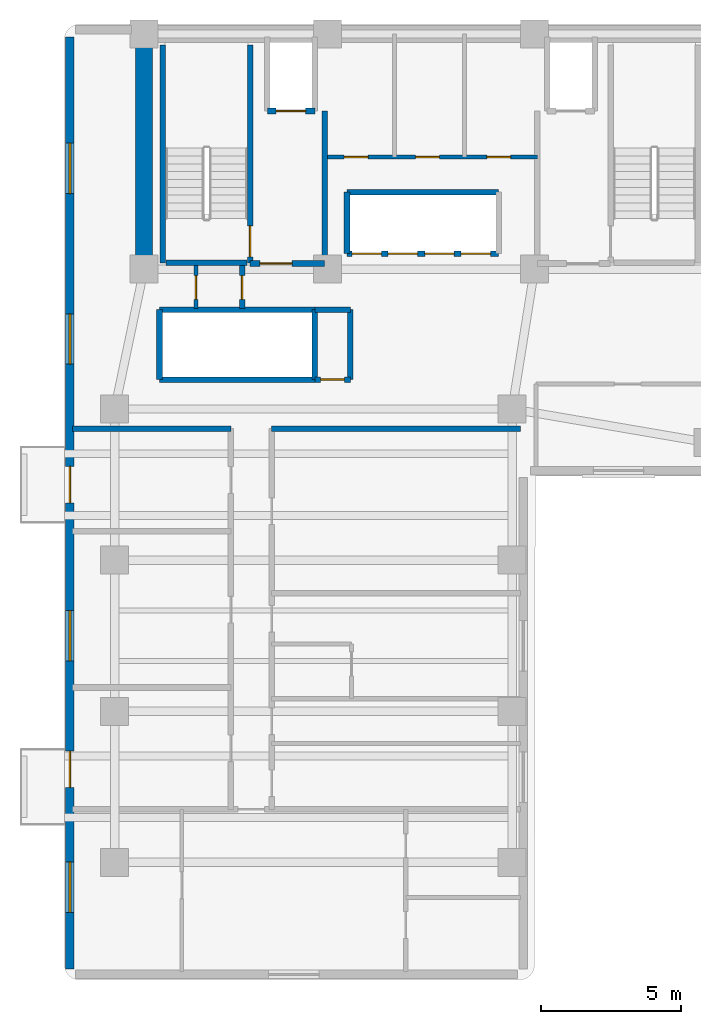
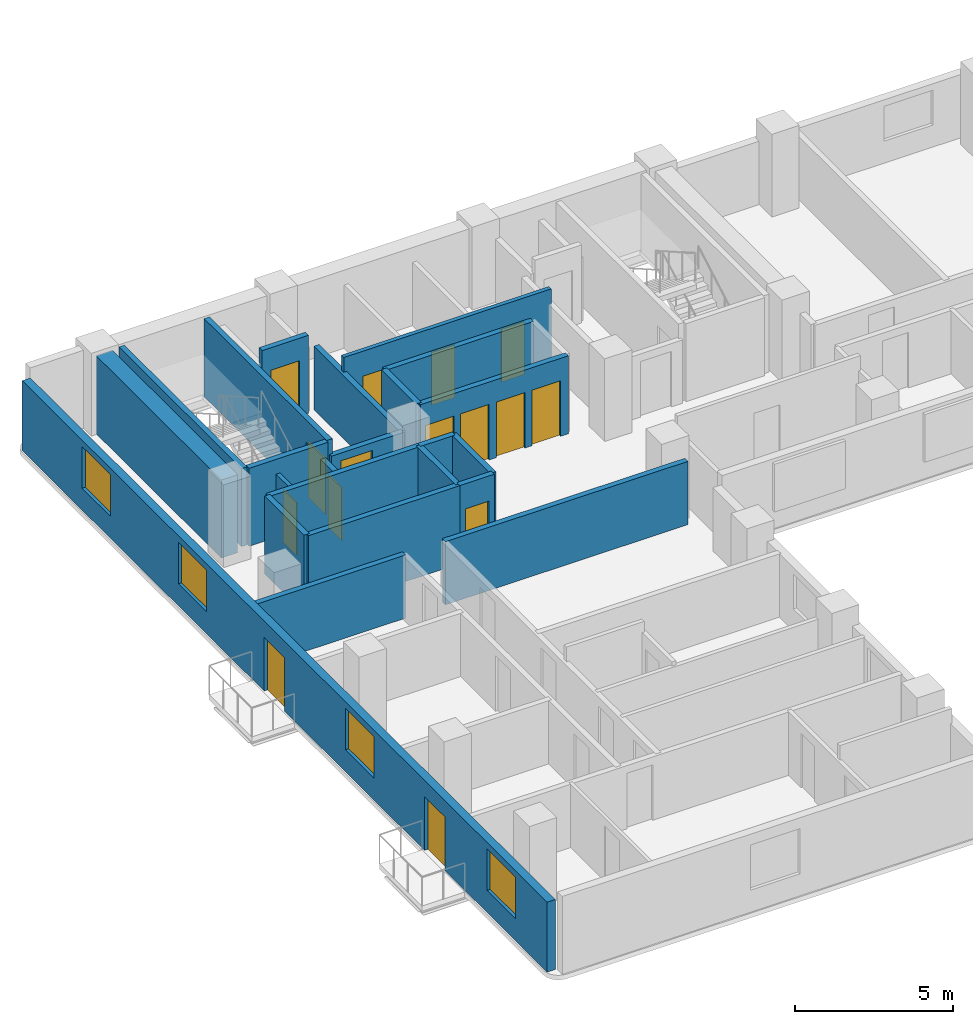
# One storey, part 3 of 7: 23 walls, 15 doors, 4 windows, 19 openings.
"""IFC4 building model written with IfcOpenShell, lengths in metres."""

from ifc_helpers import new_model, si_unit, direction, frame, frame_2d, origin, place, context, subcontext, project, spatial, rectangle, extrude, material, layer, layer_set, type_object, element, fill, save


model = new_model("IFC4")

# Units and contexts
model_context = context("Model", 3, precision=1e-05, world=origin(), true_north=direction((0.0, 1.0)))
body_context = subcontext(model_context, "Body", "Model", "MODEL_VIEW")
ifc_project = project(units=[si_unit("LENGTHUNIT", "METRE"), si_unit("AREAUNIT", "SQUARE_METRE"), si_unit("VOLUMEUNIT", "CUBIC_METRE"), si_unit("PLANEANGLEUNIT", "RADIAN"), si_unit("MASSUNIT", "GRAM", prefix="KILO")], contexts=[model_context])

# Site, building, storey
site_placement = place(None, origin())
site = spatial("IfcSite", under=ifc_project, at=site_placement, CompositionType="ELEMENT")
building_placement = place(site_placement, origin())
building = spatial("IfcBuilding", under=site, at=building_placement, Name="Kuzgunbayir Cultural Tower", CompositionType="ELEMENT")
storey_placement = place(building_placement, frame((0.0, 0.0, 142.60009765625)))
storey = spatial("IfcBuildingStorey", under=building, at=storey_placement, Name="L41", CompositionType="ELEMENT", Elevation=142.60009765625)

# Wall
ifc_material_1 = material(Name="Concrete C60/75", Category="concrete")
ifc_layer_1 = layer(ifc_material_1, 0.60009765625)
ifc_layer_set_1 = layer_set([ifc_layer_1], Name="Concrete C60/75")
wall_type_1 = type_object("IfcWallType", Name="WAL-CORE-600", PredefinedType="SHEAR", material=ifc_layer_set_1)
wall_1_placement = place(storey_placement, frame((6.449951171875, 33.800048828125, 0.0), z_axis=(0.0, 0.0, 1.0), x_axis=(0.0, 1.0, 0.0)))
element("IfcWall", 1, at=wall_1_placement, inside=storey, type_object=wall_type_1, Name="L41 T1 Core West Shear Wall", PredefinedType="SHEAR", context=body_context, shape_type="SweptSolid", body=[
    extrude(rectangle(XDim=7.949951171875, YDim=0.60009765625, at=frame_2d((3.97509765625, 0.0))), origin(), (0.0, 0.0, 1.0), 3.02001953125),
])

# Wall, openings, doors, windows
ifc_material_2 = material(Name="Anatolian Cream Limestone", Category="masonry")
ifc_layer_2 = layer(ifc_material_2, 0.300048828125)
ifc_layer_set_2 = layer_set([ifc_layer_2], Name="Anatolian Cream Limestone")
wall_type_2 = type_object("IfcWallType", Name="WAL-EXT-STONE-300", PredefinedType="STANDARD", material=ifc_layer_set_2)
wall_2_placement = place(storey_placement, frame((3.800048828125, 42.10009765625, 0.0), z_axis=(0.0, 0.0, 1.0), x_axis=(0.0, -1.0, 0.0)))
wall_2 = element("IfcWall", 2, at=wall_2_placement, inside=storey, type_object=wall_type_2, Name="L41 Wing A West Limestone Wall", PredefinedType="STANDARD", context=body_context, shape_type="SweptSolid", body=[
    extrude(rectangle(XDim=33.300048828125, YDim=0.300048828125, at=frame_2d((16.64990234375, 0.0))), origin(), (0.0, 0.0, 1.0), 2.7099609375),
])
opening_1_placement = place(wall_2_placement, frame((25.52001953125, 0.0, 0.0)))
opening_1 = element("IfcOpeningElement", 3, at=opening_1_placement, cuts=wall_2, Name="Opening BD-13", PredefinedType="OPENING", context=body_context, shape_type="SweptSolid", body=[
    extrude(rectangle(XDim=1.300048828125, YDim=2.080078125, at=frame_2d((0.64990234375, 1.0400390625))), frame((0.0, 0.16015625, 0.0), z_axis=(0.0, -1.0, 0.0), x_axis=(1.0, 0.0, 0.0)), (0.0, 0.0, 1.0), 0.320068359375),
])
opening_2_placement = place(wall_2_placement, frame((15.35009765625, 0.0, 0.0)))
opening_2 = element("IfcOpeningElement", 4, at=opening_2_placement, cuts=wall_2, Name="Opening BD-13", PredefinedType="OPENING", context=body_context, shape_type="SweptSolid", body=[
    extrude(rectangle(XDim=1.300048828125, YDim=2.080078125, at=frame_2d((0.64990234375, 1.0400390625))), frame((0.0, 0.16015625, 0.0), z_axis=(0.0, -1.0, 0.0), x_axis=(1.0, 0.0, 0.0)), (0.0, 0.0, 1.0), 0.320068359375),
])
opening_3_placement = place(wall_2_placement, frame((29.47998046875, 0.0, 0.85009765625)))
opening_3 = element("IfcOpeningElement", 5, at=opening_3_placement, cuts=wall_2, Name="Opening WH-18", PredefinedType="OPENING", context=body_context, shape_type="SweptSolid", body=[
    extrude(rectangle(XDim=1.800048828125, YDim=1.610107421875, at=frame_2d((0.89990234375, 0.80517578125))), frame((0.0, 0.16015625, 0.0), z_axis=(0.0, -1.0, 0.0), x_axis=(1.0, 0.0, 0.0)), (0.0, 0.0, 1.0), 0.320068359375),
])
opening_4_placement = place(wall_2_placement, frame((20.5, 0.0, 0.85009765625)))
opening_4 = element("IfcOpeningElement", 6, at=opening_4_placement, cuts=wall_2, Name="Opening WH-18", PredefinedType="OPENING", context=body_context, shape_type="SweptSolid", body=[
    extrude(rectangle(XDim=1.800048828125, YDim=1.610107421875, at=frame_2d((0.89990234375, 0.80517578125))), frame((0.0, 0.16015625, 0.0), z_axis=(0.0, -1.0, 0.0), x_axis=(1.0, 0.0, 0.0)), (0.0, 0.0, 1.0), 0.320068359375),
])
opening_5_placement = place(wall_2_placement, frame((9.89990234375, 0.0, 0.85009765625)))
opening_5 = element("IfcOpeningElement", 7, at=opening_5_placement, cuts=wall_2, Name="Opening WH-18", PredefinedType="OPENING", context=body_context, shape_type="SweptSolid", body=[
    extrude(rectangle(XDim=1.800048828125, YDim=1.610107421875, at=frame_2d((0.89990234375, 0.80517578125))), frame((0.0, 0.16015625, 0.0), z_axis=(0.0, -1.0, 0.0), x_axis=(1.0, 0.0, 0.0)), (0.0, 0.0, 1.0), 0.320068359375),
])
opening_6_placement = place(wall_2_placement, frame((3.800048828125, 0.0, 0.85009765625)))
opening_6 = element("IfcOpeningElement", 8, at=opening_6_placement, cuts=wall_2, Name="Opening WH-18", PredefinedType="OPENING", context=body_context, shape_type="SweptSolid", body=[
    extrude(rectangle(XDim=1.800048828125, YDim=1.610107421875, at=frame_2d((0.89990234375, 0.80517578125))), frame((0.0, 0.16015625, 0.0), z_axis=(0.0, -1.0, 0.0), x_axis=(1.0, 0.0, 0.0)), (0.0, 0.0, 1.0), 0.320068359375),
])
ifc_material_3 = material(Name="Thermally Broken Glazed Aluminium", Category="aluminium")
door_type_1 = type_object("IfcDoorType", Name="DR-BALCONY-135", OperationType="SLIDING_TO_LEFT", PredefinedType="DOOR", material=ifc_material_3)
door_1_placement = place(opening_1_placement, origin())
door_1 = element("IfcDoor", 9, at=door_1_placement, inside=storey, type_object=door_type_1, Name="L41 West Balcony Sliding Door BAL-L41-WA1", OperationType="SLIDING_TO_LEFT", OverallHeight=2.080078125, OverallWidth=1.300048828125, PredefinedType="DOOR", context=body_context, shape_type="SweptSolid", body=[
    extrude(rectangle(XDim=1.300048828125, YDim=2.080078125, at=frame_2d((0.64990234375, 1.0400390625))), frame((0.0, 0.02490234375, 0.0), z_axis=(0.0, -1.0, 0.0), x_axis=(1.0, 0.0, 0.0)), (0.0, 0.0, 1.0), 0.050048828125),
])
fill(opening_1, door_1)
door_2_placement = place(opening_2_placement, origin())
door_2 = element("IfcDoor", 10, at=door_2_placement, inside=storey, type_object=door_type_1, Name="L41 West Balcony Sliding Door BAL-L41-WA3", OperationType="SLIDING_TO_LEFT", OverallHeight=2.080078125, OverallWidth=1.300048828125, PredefinedType="DOOR", context=body_context, shape_type="SweptSolid", body=[
    extrude(rectangle(XDim=1.300048828125, YDim=2.080078125, at=frame_2d((0.64990234375, 1.0400390625))), frame((0.0, 0.02490234375, 0.0), z_axis=(0.0, -1.0, 0.0), x_axis=(1.0, 0.0, 0.0)), (0.0, 0.0, 1.0), 0.050048828125),
])
fill(opening_2, door_2)
ifc_material_4 = material(Name="Solar-Control Triple Glazing", Category="glass")
window_type = type_object("IfcWindowType", Name="WIN-HOTEL-18", PartitioningType="SINGLE_PANEL", PredefinedType="WINDOW", material=ifc_material_4)
window_1_placement = place(opening_3_placement, origin())
window_1 = element("IfcWindow", 11, at=window_1_placement, inside=storey, type_object=window_type, Name="L41 WAW Facade Window 1", OverallHeight=1.610107421875, OverallWidth=1.800048828125, PartitioningType="SINGLE_PANEL", PredefinedType="WINDOW", context=body_context, shape_type="SweptSolid", body=[
    extrude(rectangle(XDim=1.800048828125, YDim=1.610107421875, at=frame_2d((0.89990234375, 0.80517578125))), frame((0.0, 0.030029296875, 0.0), z_axis=(0.0, -1.0, 0.0), x_axis=(1.0, 0.0, 0.0)), (0.0, 0.0, 1.0), 0.06005859375),
])
fill(opening_3, window_1)
window_2_placement = place(opening_4_placement, origin())
window_2 = element("IfcWindow", 12, at=window_2_placement, inside=storey, type_object=window_type, Name="L41 WAW Facade Window 7", OverallHeight=1.610107421875, OverallWidth=1.800048828125, PartitioningType="SINGLE_PANEL", PredefinedType="WINDOW", context=body_context, shape_type="SweptSolid", body=[
    extrude(rectangle(XDim=1.800048828125, YDim=1.610107421875, at=frame_2d((0.89990234375, 0.80517578125))), frame((0.0, 0.030029296875, 0.0), z_axis=(0.0, -1.0, 0.0), x_axis=(1.0, 0.0, 0.0)), (0.0, 0.0, 1.0), 0.06005859375),
])
fill(opening_4, window_2)
window_3_placement = place(opening_5_placement, origin())
window_3 = element("IfcWindow", 13, at=window_3_placement, inside=storey, type_object=window_type, Name="L41 WAW Facade Window 8", OverallHeight=1.610107421875, OverallWidth=1.800048828125, PartitioningType="SINGLE_PANEL", PredefinedType="WINDOW", context=body_context, shape_type="SweptSolid", body=[
    extrude(rectangle(XDim=1.800048828125, YDim=1.610107421875, at=frame_2d((0.89990234375, 0.80517578125))), frame((0.0, 0.030029296875, 0.0), z_axis=(0.0, -1.0, 0.0), x_axis=(1.0, 0.0, 0.0)), (0.0, 0.0, 1.0), 0.06005859375),
])
fill(opening_5, window_3)
window_4_placement = place(opening_6_placement, origin())
window_4 = element("IfcWindow", 14, at=window_4_placement, inside=storey, type_object=window_type, Name="L41 WAW Facade Window 9", OverallHeight=1.610107421875, OverallWidth=1.800048828125, PartitioningType="SINGLE_PANEL", PredefinedType="WINDOW", context=body_context, shape_type="SweptSolid", body=[
    extrude(rectangle(XDim=1.800048828125, YDim=1.610107421875, at=frame_2d((0.89990234375, 0.80517578125))), frame((0.0, 0.030029296875, 0.0), z_axis=(0.0, -1.0, 0.0), x_axis=(1.0, 0.0, 0.0)), (0.0, 0.0, 1.0), 0.06005859375),
])
fill(opening_6, window_4)

# Wall, opening, door
ifc_material_5 = material(Name="Acoustic Double-Stud Drywall", Category="gypsum")
ifc_layer_3 = layer(ifc_material_5, 0.14990234375)
ifc_layer_set_3 = layer_set([ifc_layer_3], Name="Acoustic Double-Stud Drywall")
wall_type_3 = type_object("IfcWallType", Name="WAL-PART-ACOUSTIC-150", PredefinedType="PARTITIONING", material=ifc_layer_set_3)
wall_3_placement = place(storey_placement, frame((8.300048828125, 32.39990234375, 0.0), z_axis=(0.0, 0.0, 1.0), x_axis=(0.0, 1.0, 0.0)))
wall_3 = element("IfcWall", 15, at=wall_3_placement, inside=storey, type_object=wall_type_3, Name="L41 West Core Closet Divider", PredefinedType="PARTITIONING", context=body_context, shape_type="SweptSolid", body=[
    extrude(rectangle(XDim=1.52001953125, YDim=0.14990234375, at=frame_2d((0.760009765625, 0.0))), origin(), (0.0, 0.0, 1.0), 2.449951171875),
])
opening_7_placement = place(wall_3_placement, frame((0.320068359375, 0.0, 0.0)))
opening_7 = element("IfcOpeningElement", 16, at=opening_7_placement, cuts=wall_3, Name="Opening DR-RSR-60", PredefinedType="OPENING", context=body_context, shape_type="SweptSolid", body=[
    extrude(rectangle(XDim=0.85009765625, YDim=2.050048828125, at=frame_2d((0.425048828125, 1.02490234375))), frame((0.0, 0.0849609375, 0.0), z_axis=(0.0, -1.0, 0.0), x_axis=(1.0, 0.0, 0.0)), (0.0, 0.0, 1.0), 0.169921875),
])
ifc_material_6 = material(Name="Steel Access Leaf", Category="steel")
door_type_2 = type_object("IfcDoorType", Name="DR-RISER-60", OperationType="NOTDEFINED", PredefinedType="DOOR", material=ifc_material_6)
door_3_placement = place(opening_7_placement, origin())
door_3 = element("IfcDoor", 17, at=door_3_placement, inside=storey, type_object=door_type_2, Name="L41 Sub-Meter Closet Door", OperationType="SINGLE_SWING_RIGHT", OverallHeight=2.050048828125, OverallWidth=0.85009765625, PredefinedType="DOOR", context=body_context, shape_type="SweptSolid", body=[
    extrude(rectangle(XDim=0.85009765625, YDim=2.050048828125, at=frame_2d((0.425048828125, 1.02490234375))), frame((0.0, 0.02490234375, 0.0), z_axis=(0.0, -1.0, 0.0), x_axis=(1.0, 0.0, 0.0)), (0.0, 0.0, 1.0), 0.050048828125),
])
fill(opening_7, door_3)

# Wall, openings, doors
wall_4_placement = place(storey_placement, frame((12.89990234375, 37.800048828125, 0.0), z_axis=(0.0, 0.0, 1.0), x_axis=(1.0, 0.0, 0.0)))
wall_4 = element("IfcWall", 18, at=wall_4_placement, inside=storey, type_object=wall_type_3, Name="L41 Repurposed Core Suite Wall", PredefinedType="PARTITIONING", context=body_context, shape_type="SweptSolid", body=[
    extrude(rectangle(XDim=7.60009765625, YDim=0.14990234375, at=frame_2d((3.800048828125, 0.0))), origin(), (0.0, 0.0, 1.0), 3.02001953125),
])
opening_8_placement = place(wall_4_placement, frame((0.699951171875, 0.0, 0.0)))
opening_8 = element("IfcOpeningElement", 19, at=opening_8_placement, cuts=wall_4, Name="Opening DC-85", PredefinedType="OPENING", context=body_context, shape_type="SweptSolid", body=[
    extrude(rectangle(XDim=0.85009765625, YDim=2.050048828125, at=frame_2d((0.425048828125, 1.02490234375))), frame((0.0, 0.0849609375, 0.0), z_axis=(0.0, -1.0, 0.0), x_axis=(1.0, 0.0, 0.0)), (0.0, 0.0, 1.0), 0.169921875),
])
opening_9_placement = place(wall_4_placement, frame((3.25, 0.0, 0.0)))
opening_9 = element("IfcOpeningElement", 20, at=opening_9_placement, cuts=wall_4, Name="Opening DC-85", PredefinedType="OPENING", context=body_context, shape_type="SweptSolid", body=[
    extrude(rectangle(XDim=0.85009765625, YDim=2.050048828125, at=frame_2d((0.425048828125, 1.02490234375))), frame((0.0, 0.0849609375, 0.0), z_axis=(0.0, -1.0, 0.0), x_axis=(1.0, 0.0, 0.0)), (0.0, 0.0, 1.0), 0.169921875),
])
opening_10_placement = place(wall_4_placement, frame((5.800048828125, 0.0, 0.0)))
opening_10 = element("IfcOpeningElement", 21, at=opening_10_placement, cuts=wall_4, Name="Opening DC-85", PredefinedType="OPENING", context=body_context, shape_type="SweptSolid", body=[
    extrude(rectangle(XDim=0.85009765625, YDim=2.050048828125, at=frame_2d((0.425048828125, 1.02490234375))), frame((0.0, 0.0849609375, 0.0), z_axis=(0.0, -1.0, 0.0), x_axis=(1.0, 0.0, 0.0)), (0.0, 0.0, 1.0), 0.169921875),
])
ifc_material_7 = material(Name="Fire-Rated Veneered Oak Leaf", Category="wood")
door_type_3 = type_object("IfcDoorType", Name="DR-CORE-85", OperationType="NOTDEFINED", PredefinedType="DOOR", material=ifc_material_7)
door_4_placement = place(opening_8_placement, origin())
door_4 = element("IfcDoor", 22, at=door_4_placement, inside=storey, type_object=door_type_3, Name="L41 Phone Booth Door", OperationType="SINGLE_SWING_RIGHT", OverallHeight=2.050048828125, OverallWidth=0.85009765625, PredefinedType="DOOR", context=body_context, shape_type="SweptSolid", body=[
    extrude(rectangle(XDim=0.85009765625, YDim=2.050048828125, at=frame_2d((0.425048828125, 1.02490234375))), frame((0.0, 0.02490234375, 0.0), z_axis=(0.0, -1.0, 0.0), x_axis=(1.0, 0.0, 0.0)), (0.0, 0.0, 1.0), 0.050048828125),
])
fill(opening_8, door_4)
door_5_placement = place(opening_9_placement, origin())
door_5 = element("IfcDoor", 23, at=door_5_placement, inside=storey, type_object=door_type_3, Name="L41 Pantry Alcove Door", OperationType="SINGLE_SWING_LEFT", OverallHeight=2.050048828125, OverallWidth=0.85009765625, PredefinedType="DOOR", context=body_context, shape_type="SweptSolid", body=[
    extrude(rectangle(XDim=0.85009765625, YDim=2.050048828125, at=frame_2d((0.425048828125, 1.02490234375))), frame((0.0, 0.02490234375, 0.0), z_axis=(0.0, -1.0, 0.0), x_axis=(1.0, 0.0, 0.0)), (0.0, 0.0, 1.0), 0.050048828125),
])
fill(opening_9, door_5)
door_6_placement = place(opening_10_placement, origin())
door_6 = element("IfcDoor", 24, at=door_6_placement, inside=storey, type_object=door_type_3, Name="L41 Telecom Closet Door", OperationType="SINGLE_SWING_RIGHT", OverallHeight=2.050048828125, OverallWidth=0.85009765625, PredefinedType="DOOR", context=body_context, shape_type="SweptSolid", body=[
    extrude(rectangle(XDim=0.85009765625, YDim=2.050048828125, at=frame_2d((0.425048828125, 1.02490234375))), frame((0.0, 0.02490234375, 0.0), z_axis=(0.0, -1.0, 0.0), x_axis=(1.0, 0.0, 0.0)), (0.0, 0.0, 1.0), 0.050048828125),
])
fill(opening_10, door_6)

# Wall
ifc_material_8 = material(Name="Aerated Concrete Blockwork", Category="masonry")
ifc_layer_4 = layer(ifc_material_8, 0.199951171875)
ifc_layer_set_4 = layer_set([ifc_layer_4], Name="Aerated Concrete Blockwork")
wall_type_4 = type_object("IfcWallType", Name="WAL-PART-FIRE-200", PredefinedType="PARTITIONING", material=ifc_layer_set_4)
wall_5_placement = place(storey_placement, frame((12.89990234375, 34.0, 0.0), z_axis=(0.0, 0.0, 1.0), x_axis=(0.0, 1.0, 0.0)))
element("IfcWall", 25, at=wall_5_placement, inside=storey, type_object=wall_type_4, Name="L41 FFL-1 Lobby East Fire Wall", PredefinedType="PARTITIONING", context=body_context, shape_type="SweptSolid", body=[
    extrude(rectangle(XDim=5.449951171875, YDim=0.199951171875, at=frame_2d((2.72509765625, 0.0))), origin(), (0.0, 0.0, 1.0), 2.449951171875),
])

# Wall, opening, door
wall_6_placement = place(storey_placement, frame((10.239990234375, 34.0, 0.0), z_axis=(0.0, 0.0, 1.0), x_axis=(1.0, 0.0, 0.0)))
wall_6 = element("IfcWall", 26, at=wall_6_placement, inside=storey, type_object=wall_type_4, Name="L41 FFL-1 Lobby South Fire Wall", PredefinedType="PARTITIONING", context=body_context, shape_type="SweptSolid", body=[
    extrude(rectangle(XDim=2.659912109375, YDim=0.199951171875, at=frame_2d((1.330078125, 0.0))), origin(), (0.0, 0.0, 1.0), 2.449951171875),
])
opening_11_placement = place(wall_6_placement, frame((0.35009765625, 0.0, 0.0)))
opening_11 = element("IfcOpeningElement", 27, at=opening_11_placement, cuts=wall_6, Name="Opening DR-FFL-90", PredefinedType="OPENING", context=body_context, shape_type="SweptSolid", body=[
    extrude(rectangle(XDim=1.14990234375, YDim=2.14990234375, at=frame_2d((0.574951171875, 1.074951171875))), frame((0.0, 0.10986328125, 0.0), z_axis=(0.0, -1.0, 0.0), x_axis=(1.0, 0.0, 0.0)), (0.0, 0.0, 1.0), 0.219970703125),
])
ifc_material_9 = material(Name="Steel S355J2", Category="steel")
door_type_4 = type_object("IfcDoorType", Name="DR-FFL-90", OperationType="NOTDEFINED", PredefinedType="DOOR", material=ifc_material_9)
door_7_placement = place(opening_11_placement, origin())
door_7 = element("IfcDoor", 28, at=door_7_placement, inside=storey, type_object=door_type_4, Name="L41 Firefighting Lobby 1 Door", OperationType="SINGLE_SWING_LEFT", OverallHeight=2.14990234375, OverallWidth=1.14990234375, PredefinedType="DOOR", context=body_context, shape_type="SweptSolid", body=[
    extrude(rectangle(XDim=1.14990234375, YDim=2.14990234375, at=frame_2d((0.574951171875, 1.074951171875))), frame((0.0, 0.02490234375, 0.0), z_axis=(0.0, -1.0, 0.0), x_axis=(1.0, 0.0, 0.0)), (0.0, 0.0, 1.0), 0.050048828125),
])
fill(opening_11, door_7)

wall_7_placement = place(storey_placement, frame((9.949951171875, 32.39990234375, 0.0), z_axis=(0.0, 0.0, 1.0), x_axis=(0.0, 1.0, 0.0)))
wall_7 = element("IfcWall", 29, at=wall_7_placement, inside=storey, type_object=wall_type_4, Name="L41 West Core Service Closet Wall", PredefinedType="PARTITIONING", context=body_context, shape_type="SweptSolid", body=[
    extrude(rectangle(XDim=1.52001953125, YDim=0.199951171875, at=frame_2d((0.760009765625, 0.0))), origin(), (0.0, 0.0, 1.0), 2.449951171875),
])
opening_12_placement = place(wall_7_placement, frame((0.320068359375, 0.0, 0.0)))
opening_12 = element("IfcOpeningElement", 30, at=opening_12_placement, cuts=wall_7, Name="Opening DR-RSR-60", PredefinedType="OPENING", context=body_context, shape_type="SweptSolid", body=[
    extrude(rectangle(XDim=0.85009765625, YDim=2.050048828125, at=frame_2d((0.425048828125, 1.02490234375))), frame((0.0, 0.10986328125, 0.0), z_axis=(0.0, -1.0, 0.0), x_axis=(1.0, 0.0, 0.0)), (0.0, 0.0, 1.0), 0.219970703125),
])
door_8_placement = place(opening_12_placement, origin())
door_8 = element("IfcDoor", 31, at=door_8_placement, inside=storey, type_object=door_type_2, Name="L41 Cleaner Store Door", OperationType="SINGLE_SWING_LEFT", OverallHeight=2.050048828125, OverallWidth=0.85009765625, PredefinedType="DOOR", context=body_context, shape_type="SweptSolid", body=[
    extrude(rectangle(XDim=0.85009765625, YDim=2.050048828125, at=frame_2d((0.425048828125, 1.02490234375))), frame((0.0, 0.02490234375, 0.0), z_axis=(0.0, -1.0, 0.0), x_axis=(1.0, 0.0, 0.0)), (0.0, 0.0, 1.0), 0.050048828125),
])
fill(opening_12, door_8)

wall_8_placement = place(storey_placement, frame((12.550048828125, 29.85009765625, 0.0), z_axis=(0.0, 0.0, 1.0), x_axis=(1.0, 0.0, 0.0)))
wall_8 = element("IfcWall", 32, at=wall_8_placement, inside=storey, type_object=wall_type_4, Name="L41 Center Core Switchgear South Wall", PredefinedType="PARTITIONING", context=body_context, shape_type="SweptSolid", body=[
    extrude(rectangle(XDim=1.27001953125, YDim=0.199951171875, at=frame_2d((0.635009765625, 0.0))), origin(), (0.0, 0.0, 1.0), 3.02001953125),
])
opening_13_placement = place(wall_8_placement, frame((0.2099609375, 0.0, 0.0)))
opening_13 = element("IfcOpeningElement", 33, at=opening_13_placement, cuts=wall_8, Name="Opening DR-RSR-60", PredefinedType="OPENING", context=body_context, shape_type="SweptSolid", body=[
    extrude(rectangle(XDim=0.85009765625, YDim=2.050048828125, at=frame_2d((0.425048828125, 1.02490234375))), frame((0.0, 0.10986328125, 0.0), z_axis=(0.0, -1.0, 0.0), x_axis=(1.0, 0.0, 0.0)), (0.0, 0.0, 1.0), 0.219970703125),
])
door_9_placement = place(opening_13_placement, origin())
door_9 = element("IfcDoor", 34, at=door_9_placement, inside=storey, type_object=door_type_2, Name="L41 Telecom Closet Door", OperationType="SINGLE_SWING_LEFT", OverallHeight=2.050048828125, OverallWidth=0.85009765625, PredefinedType="DOOR", context=body_context, shape_type="SweptSolid", body=[
    extrude(rectangle(XDim=0.85009765625, YDim=2.050048828125, at=frame_2d((0.425048828125, 1.02490234375))), frame((0.0, 0.02490234375, 0.0), z_axis=(0.0, -1.0, 0.0), x_axis=(1.0, 0.0, 0.0)), (0.0, 0.0, 1.0), 0.050048828125),
])
fill(opening_13, door_9)

# Walls
wall_9_placement = place(storey_placement, frame((13.820068359375, 29.85009765625, 0.0), z_axis=(0.0, 0.0, 1.0), x_axis=(0.0, 1.0, 0.0)))
element("IfcWall", 35, at=wall_9_placement, inside=storey, type_object=wall_type_4, Name="L41 Center Core Switchgear East Wall", PredefinedType="PARTITIONING", context=body_context, shape_type="SweptSolid", body=[
    extrude(rectangle(XDim=2.5, YDim=0.199951171875, at=frame_2d((1.25, 0.0))), origin(), (0.0, 0.0, 1.0), 3.02001953125),
])
wall_10_placement = place(storey_placement, frame((12.550048828125, 32.35009765625, 0.0), z_axis=(0.0, 0.0, 1.0), x_axis=(1.0, 0.0, 0.0)))
element("IfcWall", 36, at=wall_10_placement, inside=storey, type_object=wall_type_4, Name="L41 Center Core Switchgear North Wall", PredefinedType="PARTITIONING", context=body_context, shape_type="SweptSolid", body=[
    extrude(rectangle(XDim=1.27001953125, YDim=0.199951171875, at=frame_2d((0.635009765625, 0.0))), origin(), (0.0, 0.0, 1.0), 3.02001953125),
])
wall_11_placement = place(storey_placement, frame((3.89990234375, 28.10009765625, 0.0), z_axis=(0.0, 0.0, 1.0), x_axis=(1.0, 0.0, 0.0)))
element("IfcWall", 37, at=wall_11_placement, inside=storey, type_object=wall_type_4, Name="L41 North West Partition", PredefinedType="PARTITIONING", context=body_context, shape_type="SweptSolid", body=[
    extrude(rectangle(XDim=5.650146484375, YDim=0.199951171875, at=frame_2d((2.8251953125, 0.0))), origin(), (0.0, 0.0, 1.0), 2.449951171875),
])
wall_12_placement = place(storey_placement, frame((11.010009765625, 28.10009765625, 0.0), z_axis=(0.0, 0.0, 1.0), x_axis=(1.0, 0.0, 0.0)))
element("IfcWall", 38, at=wall_12_placement, inside=storey, type_object=wall_type_4, Name="L41 North East Partition", PredefinedType="PARTITIONING", context=body_context, shape_type="SweptSolid", body=[
    extrude(rectangle(XDim=8.889892578125, YDim=0.199951171875, at=frame_2d((4.44482421875, 0.0))), origin(), (0.0, 0.0, 1.0), 2.449951171875),
])
ifc_material_10 = material(Name="Concrete C40/50", Category="concrete")
ifc_layer_5 = layer(ifc_material_10, 0.199951171875)
ifc_layer_set_5 = layer_set([ifc_layer_5], Name="Concrete C40/50")
wall_type_5 = type_object("IfcWallType", Name="WAL-SHAFT-200", PredefinedType="MOVABLE", material=ifc_layer_set_5)
for number, where, z_axis, x_axis, name in (
    (39, (7.0, 29.85009765625, 0.0), (0.0, 0.0, 1.0), (1.0, 0.0, 0.0), "L41 High-Rise Lift Shaft South Wall"),
    (40, (7.0, 32.35009765625, 0.0), (0.0, 0.0, 1.0), (1.0, 0.0, 0.0), "L41 High-Rise Lift Shaft North Wall"),
):
    element("IfcWall", number, at=place(storey_placement, frame(where, z_axis=z_axis, x_axis=x_axis)), inside=storey, type_object=wall_type_5, Name=name, PredefinedType="MOVABLE", context=body_context, shape_type="SweptSolid", body=[
        extrude(rectangle(XDim=5.550048828125, YDim=0.199951171875, at=frame_2d((2.77490234375, 0.0))), origin(), (0.0, 0.0, 1.0), 3.02001953125),
    ])
for number, where, z_axis, x_axis, name in (
    (41, (7.0, 29.85009765625, 0.0), (0.0, 0.0, 1.0), (0.0, 1.0, 0.0), "L41 High-Rise Lift Shaft West Wall"),
    (42, (12.550048828125, 29.85009765625, 0.0), (0.0, 0.0, 1.0), (0.0, 1.0, 0.0), "L41 High-Rise Lift Shaft East Wall"),
):
    element("IfcWall", number, at=place(storey_placement, frame(where, z_axis=z_axis, x_axis=x_axis)), inside=storey, type_object=wall_type_5, Name=name, PredefinedType="MOVABLE", context=body_context, shape_type="SweptSolid", body=[
        extrude(rectangle(XDim=2.5, YDim=0.199951171875, at=frame_2d((1.25, 0.0))), origin(), (0.0, 0.0, 1.0), 3.02001953125),
    ])

# Wall, opening, door
wall_13_placement = place(storey_placement, frame((10.85009765625, 39.449951171875, 0.0), z_axis=(0.0, 0.0, 1.0), x_axis=(1.0, 0.0, 0.0)))
wall_13 = element("IfcWall", 43, at=wall_13_placement, inside=storey, type_object=wall_type_5, Name="L41 FFL-1 Lift Front Wall", PredefinedType="MOVABLE", context=body_context, shape_type="SweptSolid", body=[
    extrude(rectangle(XDim=1.699951171875, YDim=0.199951171875, at=frame_2d((0.85009765625, 0.0))), origin(), (0.0, 0.0, 1.0), 3.02001953125),
])
opening_14_placement = place(wall_13_placement, frame((0.320068359375, 0.0, 0.0)))
opening_14 = element("IfcOpeningElement", 44, at=opening_14_placement, cuts=wall_13, Name="Opening LD", PredefinedType="OPENING", context=body_context, shape_type="SweptSolid", body=[
    extrude(rectangle(XDim=1.050048828125, YDim=2.14990234375, at=frame_2d((0.52490234375, 1.074951171875))), frame((0.0, 0.10986328125, 0.0), z_axis=(0.0, -1.0, 0.0), x_axis=(1.0, 0.0, 0.0)), (0.0, 0.0, 1.0), 0.219970703125),
])
ifc_material_11 = material(Name="Brushed Stainless Steel", Category="steel")
door_type_5 = type_object("IfcDoorType", Name="DR-LIFT-LANDING", OperationType="SLIDING_TO_LEFT", PredefinedType="DOOR", material=ifc_material_11)
door_10_placement = place(opening_14_placement, origin())
door_10 = element("IfcDoor", 45, at=door_10_placement, inside=storey, type_object=door_type_5, Name="L41 Lift FFL-1 Landing Door", OperationType="SLIDING_TO_LEFT", OverallHeight=2.14990234375, OverallWidth=1.050048828125, PredefinedType="DOOR", context=body_context, shape_type="SweptSolid", body=[
    extrude(rectangle(XDim=1.050048828125, YDim=2.14990234375, at=frame_2d((0.52490234375, 1.074951171875))), frame((0.0, 0.02490234375, 0.0), z_axis=(0.0, -1.0, 0.0), x_axis=(1.0, 0.0, 0.0)), (0.0, 0.0, 1.0), 0.050048828125),
])
fill(opening_14, door_10)

# Wall, openings, doors
wall_14_placement = place(storey_placement, frame((13.699951171875, 34.35009765625, 0.0), z_axis=(0.0, 0.0, 1.0), x_axis=(1.0, 0.0, 0.0)))
wall_14 = element("IfcWall", 46, at=wall_14_placement, inside=storey, type_object=wall_type_5, Name="L41 Mid-Rise Lift Front Wall", PredefinedType="MOVABLE", context=body_context, shape_type="SweptSolid", body=[
    extrude(rectangle(XDim=5.420166015625, YDim=0.199951171875, at=frame_2d((2.7099609375, 0.0))), origin(), (0.0, 0.0, 1.0), 3.02001953125),
])
opening_15_placement = place(wall_14_placement, frame((0.179931640625, 0.0, 0.0)))
opening_15 = element("IfcOpeningElement", 47, at=opening_15_placement, cuts=wall_14, Name="Opening LD", PredefinedType="OPENING", context=body_context, shape_type="SweptSolid", body=[
    extrude(rectangle(XDim=1.050048828125, YDim=2.14990234375, at=frame_2d((0.52490234375, 1.074951171875))), frame((0.0, 0.10986328125, 0.0), z_axis=(0.0, -1.0, 0.0), x_axis=(1.0, 0.0, 0.0)), (0.0, 0.0, 1.0), 0.219970703125),
])
opening_16_placement = place(wall_14_placement, frame((1.469970703125, 0.0, 0.0)))
opening_16 = element("IfcOpeningElement", 48, at=opening_16_placement, cuts=wall_14, Name="Opening LD", PredefinedType="OPENING", context=body_context, shape_type="SweptSolid", body=[
    extrude(rectangle(XDim=1.050048828125, YDim=2.14990234375, at=frame_2d((0.52490234375, 1.074951171875))), frame((0.0, 0.10986328125, 0.0), z_axis=(0.0, -1.0, 0.0), x_axis=(1.0, 0.0, 0.0)), (0.0, 0.0, 1.0), 0.219970703125),
])
opening_17_placement = place(wall_14_placement, frame((2.780029296875, 0.0, 0.0)))
opening_17 = element("IfcOpeningElement", 49, at=opening_17_placement, cuts=wall_14, Name="Opening LD", PredefinedType="OPENING", context=body_context, shape_type="SweptSolid", body=[
    extrude(rectangle(XDim=1.050048828125, YDim=2.14990234375, at=frame_2d((0.52490234375, 1.074951171875))), frame((0.0, 0.10986328125, 0.0), z_axis=(0.0, -1.0, 0.0), x_axis=(1.0, 0.0, 0.0)), (0.0, 0.0, 1.0), 0.219970703125),
])
opening_18_placement = place(wall_14_placement, frame((4.080078125, 0.0, 0.0)))
opening_18 = element("IfcOpeningElement", 50, at=opening_18_placement, cuts=wall_14, Name="Opening LD", PredefinedType="OPENING", context=body_context, shape_type="SweptSolid", body=[
    extrude(rectangle(XDim=1.050048828125, YDim=2.14990234375, at=frame_2d((0.52490234375, 1.074951171875))), frame((0.0, 0.10986328125, 0.0), z_axis=(0.0, -1.0, 0.0), x_axis=(1.0, 0.0, 0.0)), (0.0, 0.0, 1.0), 0.219970703125),
])
door_11_placement = place(opening_15_placement, origin())
door_11 = element("IfcDoor", 51, at=door_11_placement, inside=storey, type_object=door_type_5, Name="L41 Lift PM-1 Landing Door", OperationType="SLIDING_TO_LEFT", OverallHeight=2.14990234375, OverallWidth=1.050048828125, PredefinedType="DOOR", context=body_context, shape_type="SweptSolid", body=[
    extrude(rectangle(XDim=1.050048828125, YDim=2.14990234375, at=frame_2d((0.52490234375, 1.074951171875))), frame((0.0, 0.02490234375, 0.0), z_axis=(0.0, -1.0, 0.0), x_axis=(1.0, 0.0, 0.0)), (0.0, 0.0, 1.0), 0.050048828125),
])
fill(opening_15, door_11)
door_12_placement = place(opening_16_placement, origin())
door_12 = element("IfcDoor", 52, at=door_12_placement, inside=storey, type_object=door_type_5, Name="L41 Lift PM-2 Landing Door", OperationType="SLIDING_TO_LEFT", OverallHeight=2.14990234375, OverallWidth=1.050048828125, PredefinedType="DOOR", context=body_context, shape_type="SweptSolid", body=[
    extrude(rectangle(XDim=1.050048828125, YDim=2.14990234375, at=frame_2d((0.52490234375, 1.074951171875))), frame((0.0, 0.02490234375, 0.0), z_axis=(0.0, -1.0, 0.0), x_axis=(1.0, 0.0, 0.0)), (0.0, 0.0, 1.0), 0.050048828125),
])
fill(opening_16, door_12)
door_13_placement = place(opening_17_placement, origin())
door_13 = element("IfcDoor", 53, at=door_13_placement, inside=storey, type_object=door_type_5, Name="L41 Lift PM-3 Landing Door", OperationType="SLIDING_TO_LEFT", OverallHeight=2.14990234375, OverallWidth=1.050048828125, PredefinedType="DOOR", context=body_context, shape_type="SweptSolid", body=[
    extrude(rectangle(XDim=1.050048828125, YDim=2.14990234375, at=frame_2d((0.52490234375, 1.074951171875))), frame((0.0, 0.02490234375, 0.0), z_axis=(0.0, -1.0, 0.0), x_axis=(1.0, 0.0, 0.0)), (0.0, 0.0, 1.0), 0.050048828125),
])
fill(opening_17, door_13)
door_14_placement = place(opening_18_placement, origin())
door_14 = element("IfcDoor", 54, at=door_14_placement, inside=storey, type_object=door_type_5, Name="L41 Lift PM-4 Landing Door", OperationType="SLIDING_TO_LEFT", OverallHeight=2.14990234375, OverallWidth=1.050048828125, PredefinedType="DOOR", context=body_context, shape_type="SweptSolid", body=[
    extrude(rectangle(XDim=1.050048828125, YDim=2.14990234375, at=frame_2d((0.52490234375, 1.074951171875))), frame((0.0, 0.02490234375, 0.0), z_axis=(0.0, -1.0, 0.0), x_axis=(1.0, 0.0, 0.0)), (0.0, 0.0, 1.0), 0.050048828125),
])
fill(opening_18, door_14)

# Walls
wall_15_placement = place(storey_placement, frame((13.699951171875, 36.550048828125, 0.0), z_axis=(0.0, 0.0, 1.0), x_axis=(1.0, 0.0, 0.0)))
element("IfcWall", 55, at=wall_15_placement, inside=storey, type_object=wall_type_5, Name="L41 Mid-Rise Lift Shaft North Wall", PredefinedType="MOVABLE", context=body_context, shape_type="SweptSolid", body=[
    extrude(rectangle(XDim=5.420166015625, YDim=0.199951171875, at=frame_2d((2.7099609375, 0.0))), origin(), (0.0, 0.0, 1.0), 3.02001953125),
])
wall_16_placement = place(storey_placement, frame((13.699951171875, 34.35009765625, 0.0), z_axis=(0.0, 0.0, 1.0), x_axis=(0.0, 1.0, 0.0)))
element("IfcWall", 56, at=wall_16_placement, inside=storey, type_object=wall_type_5, Name="L41 Mid-Rise Lift Shaft West Wall", PredefinedType="MOVABLE", context=body_context, shape_type="SweptSolid", body=[
    extrude(rectangle(XDim=2.199951171875, YDim=0.199951171875, at=frame_2d((1.10009765625, 0.0))), origin(), (0.0, 0.0, 1.0), 3.02001953125),
])
ifc_layer_6 = layer(ifc_material_10, 0.199951171875)
ifc_layer_set_6 = layer_set([ifc_layer_6], Name="Concrete C40/50")
wall_type_6 = type_object("IfcWallType", Name="WAL-STAIR-RC-200", PredefinedType="SHEAR", material=ifc_layer_set_6)
wall_17_placement = place(storey_placement, frame((7.1201171875, 34.02001953125, 0.0), z_axis=(0.0, 0.0, 1.0), x_axis=(0.0, 1.0, 0.0)))
element("IfcWall", 57, at=wall_17_placement, inside=storey, type_object=wall_type_6, Name="L41 Stair ST-1 West Structural Wall", PredefinedType="SHEAR", context=body_context, shape_type="SweptSolid", body=[
    extrude(rectangle(XDim=7.780029296875, YDim=0.199951171875, at=frame_2d((3.89013671875, 0.0))), origin(), (0.0, 0.0, 1.0), 3.02001953125),
])

# Wall, opening, door
wall_18_placement = place(storey_placement, frame((10.239990234375, 34.02001953125, 0.0), z_axis=(0.0, 0.0, 1.0), x_axis=(0.0, 1.0, 0.0)))
wall_18 = element("IfcWall", 58, at=wall_18_placement, inside=storey, type_object=wall_type_6, Name="L41 Stair ST-1 East Structural Wall", PredefinedType="SHEAR", context=body_context, shape_type="SweptSolid", body=[
    extrude(rectangle(XDim=7.780029296875, YDim=0.199951171875, at=frame_2d((3.89013671875, 0.0))), origin(), (0.0, 0.0, 1.0), 3.02001953125),
])
opening_19_placement = place(wall_18_placement, frame((0.219970703125, 0.0, 0.0)))
opening_19 = element("IfcOpeningElement", 59, at=opening_19_placement, cuts=wall_18, Name="Opening DR-STAIR-90", PredefinedType="OPENING", context=body_context, shape_type="SweptSolid", body=[
    extrude(rectangle(XDim=1.10009765625, YDim=2.14990234375, at=frame_2d((0.550048828125, 1.074951171875))), frame((0.0, 0.10986328125, 0.0), z_axis=(0.0, -1.0, 0.0), x_axis=(1.0, 0.0, 0.0)), (0.0, 0.0, 1.0), 0.219970703125),
])
door_type_6 = type_object("IfcDoorType", Name="DR-STAIR-90", OperationType="NOTDEFINED", PredefinedType="DOOR", material=ifc_material_9)
door_15_placement = place(opening_19_placement, origin())
door_15 = element("IfcDoor", 60, at=door_15_placement, inside=storey, type_object=door_type_6, Name="L41 Stair ST-1 Fire Door", OperationType="SINGLE_SWING_LEFT", OverallHeight=2.14990234375, OverallWidth=1.10009765625, PredefinedType="DOOR", context=body_context, shape_type="SweptSolid", body=[
    extrude(rectangle(XDim=1.10009765625, YDim=2.14990234375, at=frame_2d((0.550048828125, 1.074951171875))), frame((0.0, 0.02490234375, 0.0), z_axis=(0.0, -1.0, 0.0), x_axis=(1.0, 0.0, 0.0)), (0.0, 0.0, 1.0), 0.050048828125),
])
fill(opening_19, door_15)

# Wall
wall_19_placement = place(storey_placement, frame((7.239990234375, 34.02001953125, 0.0), z_axis=(0.0, 0.0, 1.0), x_axis=(1.0, 0.0, 0.0)))
element("IfcWall", 61, at=wall_19_placement, inside=storey, type_object=wall_type_6, Name="L41 Stair ST-1 South Structural Wall", PredefinedType="SHEAR", context=body_context, shape_type="SweptSolid", body=[
    extrude(rectangle(XDim=2.880126953125, YDim=0.199951171875, at=frame_2d((1.43994140625, 0.0))), origin(), (0.0, 0.0, 1.0), 3.02001953125),
])

save(model, "model.ifc")
